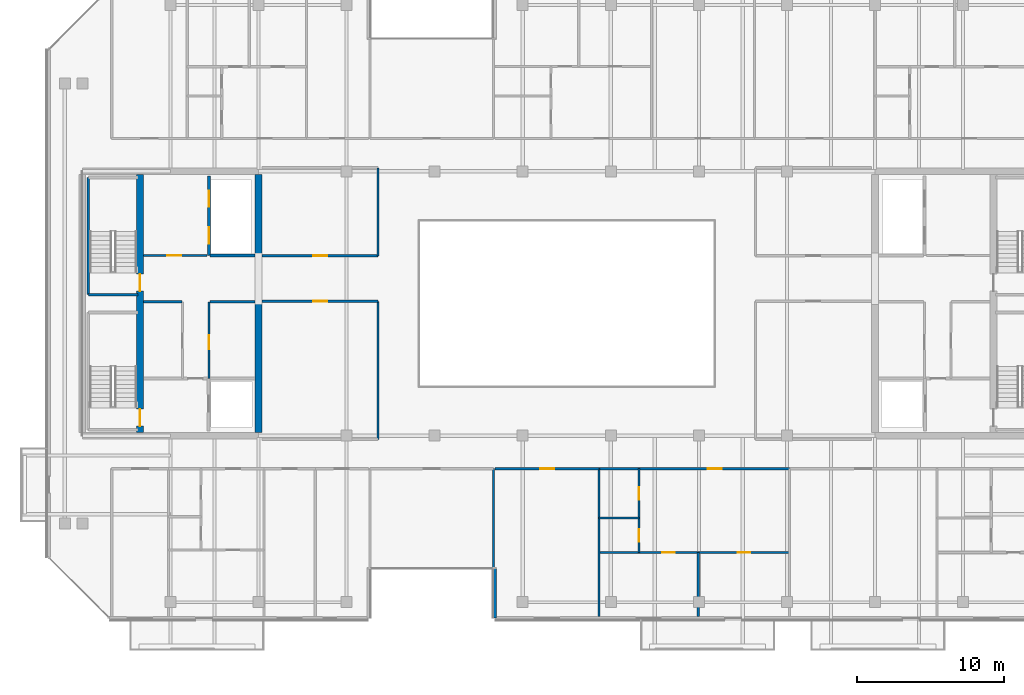
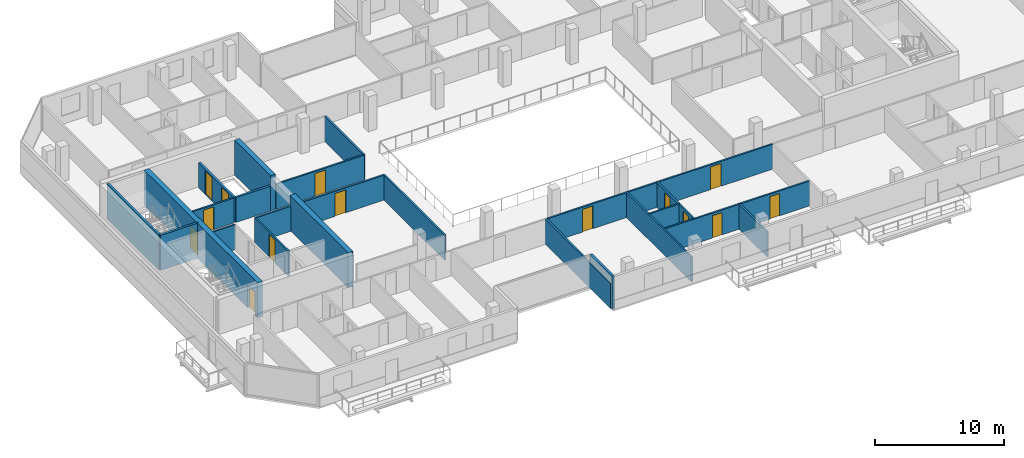
# One storey, part 19 of 28: 24 walls, 14 doors, 14 openings.
"""IFC4 building model written with IfcOpenShell, lengths in metres."""

from ifc_helpers import new_model, si_unit, direction, frame, frame_2d, origin, place, context, subcontext, project, spatial, rectangle, extrude, material, layer, layer_set, type_object, element, fill, save


model = new_model("IFC4")

# Units and contexts
model_context = context("Model", 3, precision=1e-05, world=origin(), true_north=direction((0.0, 1.0)))
body_context = subcontext(model_context, "Body", "Model", "MODEL_VIEW")
ifc_project = project(units=[si_unit("LENGTHUNIT", "METRE"), si_unit("AREAUNIT", "SQUARE_METRE"), si_unit("VOLUMEUNIT", "CUBIC_METRE"), si_unit("PLANEANGLEUNIT", "RADIAN"), si_unit("MASSUNIT", "GRAM", prefix="KILO")], contexts=[model_context])

# Site, building, storey
site_placement = place(None, origin())
site = spatial("IfcSite", under=ifc_project, at=site_placement, CompositionType="ELEMENT")
building_placement = place(site_placement, origin())
building = spatial("IfcBuilding", under=site, at=building_placement, Name="Tanjung Sevakor Pilgrim Tower", CompositionType="ELEMENT")
storey_placement = place(building_placement, frame((0.0, 0.0, 222.75)))
storey = spatial("IfcBuildingStorey", under=building, at=storey_placement, Name="L62", CompositionType="ELEMENT", Elevation=222.75)

# Walls
ifc_material_1 = material(Name="Concrete C60/75", Category="concrete")
ifc_layer_1 = layer(ifc_material_1, 0.449951171875)
ifc_layer_set_1 = layer_set([ifc_layer_1], Name="WALL-CW-450")
wall_type_1 = type_object("IfcWallType", Name="WALL-CW-450", PredefinedType="SHEAR", material=ifc_layer_set_1)
wall_1_placement = place(storey_placement, frame((36.0, 24.824951171875, 0.0), z_axis=(0.0, 0.0, 1.0), x_axis=(0.0, 1.0, 0.0)))
element("IfcWall", 1, at=wall_1_placement, inside=storey, type_object=wall_type_1, Name="L62 W Core Inner Shear Wall South", PredefinedType="SHEAR", context=body_context, shape_type="SweptSolid", body=[
    extrude(rectangle(XDim=8.97509765625, YDim=0.449951171875, at=frame_2d((4.487548828125, 0.0))), origin(), (0.0, 0.0, 1.0), 3.300048828125),
])
wall_2_placement = place(storey_placement, frame((36.0, 36.800048828125, 0.0), z_axis=(0.0, 0.0, 1.0), x_axis=(0.0, 1.0, 0.0)))
element("IfcWall", 2, at=wall_2_placement, inside=storey, type_object=wall_type_1, Name="L62 W Core Inner Shear Wall North", PredefinedType="SHEAR", context=body_context, shape_type="SweptSolid", body=[
    extrude(rectangle(XDim=5.574951171875, YDim=0.449951171875, at=frame_2d((2.78759765625, 0.0))), origin(), (0.0, 0.0, 1.0), 3.300048828125),
])

# Wall, openings, doors
wall_3_placement = place(storey_placement, frame((27.925048828125, 24.824951171875, 0.0), z_axis=(0.0, 0.0, 1.0), x_axis=(0.0, 1.0, 0.0)))
wall_3 = element("IfcWall", 3, at=wall_3_placement, inside=storey, type_object=wall_type_1, Name="L62 W Core Stair Spine Wall", PredefinedType="SHEAR", context=body_context, shape_type="SweptSolid", body=[
    extrude(rectangle(XDim=17.550048828125, YDim=0.449951171875, at=frame_2d((8.77490234375, 0.0))), origin(), (0.0, 0.0, 1.0), 3.300048828125),
])
opening_1_placement = place(wall_3_placement, frame((0.425048828125, 0.0, 0.0)))
opening_1 = element("IfcOpeningElement", 4, at=opening_1_placement, cuts=wall_3, Name="Opening ID-ST1", PredefinedType="OPENING", context=body_context, shape_type="SweptSolid", body=[
    extrude(rectangle(XDim=1.14990234375, YDim=2.14990234375, at=frame_2d((0.574951171875, 1.074951171875))), frame((0.0, 0.23486328125, 0.0), z_axis=(0.0, -1.0, 0.0), x_axis=(1.0, 0.0, 0.0)), (0.0, 0.0, 1.0), 0.469970703125),
])
opening_2_placement = place(wall_3_placement, frame((9.625, 0.0, 0.0)))
opening_2 = element("IfcOpeningElement", 5, at=opening_2_placement, cuts=wall_3, Name="Opening ID-ST1", PredefinedType="OPENING", context=body_context, shape_type="SweptSolid", body=[
    extrude(rectangle(XDim=1.14990234375, YDim=2.14990234375, at=frame_2d((0.574951171875, 1.074951171875))), frame((0.0, 0.23486328125, 0.0), z_axis=(0.0, -1.0, 0.0), x_axis=(1.0, 0.0, 0.0)), (0.0, 0.0, 1.0), 0.469970703125),
])
ifc_material_2 = material(Name="Fire-Rated Steel S355J2", Category="steel")
door_type_1 = type_object("IfcDoorType", Name="DT-FIRE-1150", OperationType="NOTDEFINED", PredefinedType="DOOR", material=ifc_material_2)
door_1_placement = place(opening_1_placement, origin())
door_1 = element("IfcDoor", 6, at=door_1_placement, inside=storey, type_object=door_type_1, Name="L62 TS-W1 Stair Fire Door", OperationType="SINGLE_SWING_RIGHT", OverallHeight=2.14990234375, OverallWidth=1.14990234375, PredefinedType="DOOR", context=body_context, shape_type="SweptSolid", body=[
    extrude(rectangle(XDim=1.14990234375, YDim=2.14990234375, at=frame_2d((0.574951171875, 1.074951171875))), frame((0.0, 0.02490234375, 0.0), z_axis=(0.0, -1.0, 0.0), x_axis=(1.0, 0.0, 0.0)), (0.0, 0.0, 1.0), 0.050048828125),
])
fill(opening_1, door_1)
door_2_placement = place(opening_2_placement, origin())
door_2 = element("IfcDoor", 7, at=door_2_placement, inside=storey, type_object=door_type_1, Name="L62 TS-W2 Stair Fire Door", OperationType="SINGLE_SWING_LEFT", OverallHeight=2.14990234375, OverallWidth=1.14990234375, PredefinedType="DOOR", context=body_context, shape_type="SweptSolid", body=[
    extrude(rectangle(XDim=1.14990234375, YDim=2.14990234375, at=frame_2d((0.574951171875, 1.074951171875))), frame((0.0, 0.02490234375, 0.0), z_axis=(0.0, -1.0, 0.0), x_axis=(1.0, 0.0, 0.0)), (0.0, 0.0, 1.0), 0.050048828125),
])
fill(opening_2, door_2)

# Walls
ifc_material_3 = material(Name="Concrete C40/50", Category="concrete")
ifc_layer_2 = layer(ifc_material_3, 0.14990234375)
ifc_layer_set_2 = layer_set([ifc_layer_2], Name="WT-COMP-150")
wall_type_2 = type_object("IfcWallType", Name="WT-COMP-150", PredefinedType="SOLIDWALL", material=ifc_layer_set_2)
wall_4_placement = place(storey_placement, frame((28.169921875, 33.719970703125, 0.0), z_axis=(0.0, 0.0, 1.0), x_axis=(1.0, 0.0, 0.0)))
element("IfcWall", 8, at=wall_4_placement, inside=storey, type_object=wall_type_2, Name="L62 Partition IW-L62-003", PredefinedType="SOLIDWALL", context=body_context, shape_type="SweptSolid", body=[
    extrude(rectangle(XDim=2.630126953125, YDim=0.14990234375, at=frame_2d((1.31494140625, 0.0))), origin(), (0.0, 0.0, 1.0), 2.35009765625),
])
wall_5_placement = place(storey_placement, frame((32.679931640625, 33.719970703125, 0.0), z_axis=(0.0, 0.0, 1.0), x_axis=(1.0, 0.0, 0.0)))
element("IfcWall", 9, at=wall_5_placement, inside=storey, type_object=wall_type_2, Name="L62 Partition IW-L62-005", PredefinedType="SOLIDWALL", context=body_context, shape_type="SweptSolid", body=[
    extrude(rectangle(XDim=3.074951171875, YDim=0.14990234375, at=frame_2d((1.53759765625, 0.0))), origin(), (0.0, 0.0, 1.0), 2.35009765625),
])

# Wall, opening, door
wall_6_placement = place(storey_placement, frame((32.6201171875, 28.5, 0.0), z_axis=(0.0, 0.0, 1.0), x_axis=(0.0, 1.0, 0.0)))
wall_6 = element("IfcWall", 10, at=wall_6_placement, inside=storey, type_object=wall_type_2, Name="L62 Partition IW-L62-006", PredefinedType="SOLIDWALL", context=body_context, shape_type="SweptSolid", body=[
    extrude(rectangle(XDim=5.219970703125, YDim=0.14990234375, at=frame_2d((2.60986328125, 0.0))), origin(), (0.0, 0.0, 1.0), 2.35009765625),
])
opening_3_placement = place(wall_6_placement, frame((2.0, 0.0, 0.0)))
opening_3 = element("IfcOpeningElement", 11, at=opening_3_placement, cuts=wall_6, Name="Opening ID-FD2", PredefinedType="OPENING", context=body_context, shape_type="SweptSolid", body=[
    extrude(rectangle(XDim=0.949951171875, YDim=2.14990234375, at=frame_2d((0.47509765625, 1.074951171875))), frame((0.0, 0.0849609375, 0.0), z_axis=(0.0, -1.0, 0.0), x_axis=(1.0, 0.0, 0.0)), (0.0, 0.0, 1.0), 0.169921875),
])
ifc_material_4 = material(Name="Fire-Rated Timber", Category="wood")
door_type_2 = type_object("IfcDoorType", Name="DT-FIRE-950", OperationType="NOTDEFINED", PredefinedType="DOOR", material=ifc_material_4)
door_3_placement = place(opening_3_placement, origin())
door_3 = element("IfcDoor", 12, at=door_3_placement, inside=storey, type_object=door_type_2, Name="L62 Accessible WC Door", OperationType="SINGLE_SWING_LEFT", OverallHeight=2.14990234375, OverallWidth=0.949951171875, PredefinedType="DOOR", context=body_context, shape_type="SweptSolid", body=[
    extrude(rectangle(XDim=0.949951171875, YDim=2.14990234375, at=frame_2d((0.47509765625, 1.074951171875))), frame((0.0, 0.02490234375, 0.0), z_axis=(0.0, -1.0, 0.0), x_axis=(1.0, 0.0, 0.0)), (0.0, 0.0, 1.0), 0.050048828125),
])
fill(opening_3, door_3)

wall_7_placement = place(storey_placement, frame((28.169921875, 36.8798828125, 0.0), z_axis=(0.0, 0.0, 1.0), x_axis=(1.0, 0.0, 0.0)))
wall_7 = element("IfcWall", 13, at=wall_7_placement, inside=storey, type_object=wall_type_2, Name="L62 Partition IW-L62-007", PredefinedType="SOLIDWALL", context=body_context, shape_type="SweptSolid", body=[
    extrude(rectangle(XDim=4.330078125, YDim=0.14990234375, at=frame_2d((2.1650390625, 0.0))), origin(), (0.0, 0.0, 1.0), 2.35009765625),
])
opening_4_placement = place(wall_7_placement, frame((1.60009765625, 0.0, 0.0)))
opening_4 = element("IfcOpeningElement", 14, at=opening_4_placement, cuts=wall_7, Name="Opening ID-FD2", PredefinedType="OPENING", context=body_context, shape_type="SweptSolid", body=[
    extrude(rectangle(XDim=0.949951171875, YDim=2.14990234375, at=frame_2d((0.47509765625, 1.074951171875))), frame((0.0, 0.0849609375, 0.0), z_axis=(0.0, -1.0, 0.0), x_axis=(1.0, 0.0, 0.0)), (0.0, 0.0, 1.0), 0.169921875),
])
door_4_placement = place(opening_4_placement, origin())
door_4 = element("IfcDoor", 15, at=door_4_placement, inside=storey, type_object=door_type_2, Name="L62 Core Prayer Room Door", OperationType="SINGLE_SWING_RIGHT", OverallHeight=2.14990234375, OverallWidth=0.949951171875, PredefinedType="DOOR", context=body_context, shape_type="SweptSolid", body=[
    extrude(rectangle(XDim=0.949951171875, YDim=2.14990234375, at=frame_2d((0.47509765625, 1.074951171875))), frame((0.0, 0.02490234375, 0.0), z_axis=(0.0, -1.0, 0.0), x_axis=(1.0, 0.0, 0.0)), (0.0, 0.0, 1.0), 0.050048828125),
])
fill(opening_4, door_4)

wall_8_placement = place(storey_placement, frame((36.2451171875, 33.75, 0.0), z_axis=(0.0, 0.0, 1.0), x_axis=(1.0, 0.0, 0.0)))
wall_8 = element("IfcWall", 16, at=wall_8_placement, inside=storey, type_object=wall_type_2, Name="L62 Partition IW-L62-020", PredefinedType="SOLIDWALL", context=body_context, shape_type="SweptSolid", body=[
    extrude(rectangle(XDim=7.90478515625, YDim=0.14990234375, at=frame_2d((3.952392578125, 0.0))), origin(), (0.0, 0.0, 1.0), 2.35009765625),
])
opening_5_placement = place(wall_8_placement, frame((3.4775390625, 0.0, 0.0)))
opening_5 = element("IfcOpeningElement", 17, at=opening_5_placement, cuts=wall_8, Name="Opening ID-RM1", PredefinedType="OPENING", context=body_context, shape_type="SweptSolid", body=[
    extrude(rectangle(XDim=0.949951171875, YDim=2.14990234375, at=frame_2d((0.47509765625, 1.074951171875))), frame((0.0, 0.0849609375, 0.0), z_axis=(0.0, -1.0, 0.0), x_axis=(1.0, 0.0, 0.0)), (0.0, 0.0, 1.0), 0.169921875),
])
ifc_material_5 = material(Name="Hardwood Timber", Category="wood")
door_type_3 = type_object("IfcDoorType", Name="DT-INT-950", OperationType="NOTDEFINED", PredefinedType="DOOR", material=ifc_material_5)
door_5_placement = place(opening_5_placement, origin())
door_5 = element("IfcDoor", 18, at=door_5_placement, inside=storey, type_object=door_type_3, Name="L62 West Inboard South Door", OperationType="SINGLE_SWING_RIGHT", OverallHeight=2.14990234375, OverallWidth=0.949951171875, PredefinedType="DOOR", context=body_context, shape_type="SweptSolid", body=[
    extrude(rectangle(XDim=0.949951171875, YDim=2.14990234375, at=frame_2d((0.47509765625, 1.074951171875))), frame((0.0, 0.02490234375, 0.0), z_axis=(0.0, -1.0, 0.0), x_axis=(1.0, 0.0, 0.0)), (0.0, 0.0, 1.0), 0.050048828125),
])
fill(opening_5, door_5)

# Wall
wall_9_placement = place(storey_placement, frame((44.14990234375, 24.35009765625, 0.0), z_axis=(0.0, 0.0, 1.0), x_axis=(0.0, 1.0, 0.0)))
element("IfcWall", 19, at=wall_9_placement, inside=storey, type_object=wall_type_2, Name="L62 Partition IW-L62-021", PredefinedType="SOLIDWALL", context=body_context, shape_type="SweptSolid", body=[
    extrude(rectangle(XDim=9.39990234375, YDim=0.14990234375, at=frame_2d((4.699951171875, 0.0))), origin(), (0.0, 0.0, 1.0), 2.35009765625),
])

# Wall, opening, door
wall_10_placement = place(storey_placement, frame((36.2451171875, 36.85009765625, 0.0), z_axis=(0.0, 0.0, 1.0), x_axis=(1.0, 0.0, 0.0)))
wall_10 = element("IfcWall", 20, at=wall_10_placement, inside=storey, type_object=wall_type_2, Name="L62 Partition IW-L62-022", PredefinedType="SOLIDWALL", context=body_context, shape_type="SweptSolid", body=[
    extrude(rectangle(XDim=7.90478515625, YDim=0.14990234375, at=frame_2d((3.952392578125, 0.0))), origin(), (0.0, 0.0, 1.0), 2.35009765625),
])
opening_6_placement = place(wall_10_placement, frame((3.4775390625, 0.0, 0.0)))
opening_6 = element("IfcOpeningElement", 21, at=opening_6_placement, cuts=wall_10, Name="Opening ID-RM1", PredefinedType="OPENING", context=body_context, shape_type="SweptSolid", body=[
    extrude(rectangle(XDim=0.949951171875, YDim=2.14990234375, at=frame_2d((0.47509765625, 1.074951171875))), frame((0.0, 0.0849609375, 0.0), z_axis=(0.0, -1.0, 0.0), x_axis=(1.0, 0.0, 0.0)), (0.0, 0.0, 1.0), 0.169921875),
])
door_6_placement = place(opening_6_placement, origin())
door_6 = element("IfcDoor", 22, at=door_6_placement, inside=storey, type_object=door_type_3, Name="L62 West Inboard North Door", OperationType="SINGLE_SWING_LEFT", OverallHeight=2.14990234375, OverallWidth=0.949951171875, PredefinedType="DOOR", context=body_context, shape_type="SweptSolid", body=[
    extrude(rectangle(XDim=0.949951171875, YDim=2.14990234375, at=frame_2d((0.47509765625, 1.074951171875))), frame((0.0, 0.02490234375, 0.0), z_axis=(0.0, -1.0, 0.0), x_axis=(1.0, 0.0, 0.0)), (0.0, 0.0, 1.0), 0.050048828125),
])
fill(opening_6, door_6)

# Walls
wall_11_placement = place(storey_placement, frame((44.14990234375, 36.85009765625, 0.0), z_axis=(0.0, 0.0, 1.0), x_axis=(0.0, 1.0, 0.0)))
element("IfcWall", 23, at=wall_11_placement, inside=storey, type_object=wall_type_2, Name="L62 Partition IW-L62-024", PredefinedType="SOLIDWALL", context=body_context, shape_type="SweptSolid", body=[
    extrude(rectangle(XDim=6.0, YDim=0.14990234375, at=frame_2d((3.0, 0.0))), origin(), (0.0, 0.0, 1.0), 2.35009765625),
])
for number, where, z_axis, x_axis, name in (
    (24, (52.0, 12.27001953125, 0.0), (0.0, 0.0, 1.0), (0.0, 1.0, 0.0), "L62 Partition IW-L62-033"),
    (25, (59.20166015625, 12.27001953125, 0.0), (0.0, 0.0, 1.0), (0.0, 1.0, 0.0), "L62 Partition IW-L62-049"),
):
    element("IfcWall", number, at=place(storey_placement, frame(where, z_axis=z_axis, x_axis=x_axis)), inside=storey, type_object=wall_type_2, Name=name, PredefinedType="SOLIDWALL", context=body_context, shape_type="SweptSolid", body=[
        extrude(rectangle(XDim=10.080078125, YDim=0.14990234375, at=frame_2d((5.0400390625, 0.0))), origin(), (0.0, 0.0, 1.0), 2.35009765625),
    ])

# Wall, opening, door
wall_12_placement = place(storey_placement, frame((52.1201171875, 22.35009765625, 0.0), z_axis=(0.0, 0.0, 1.0), x_axis=(1.0, 0.0, 0.0)))
wall_12 = element("IfcWall", 26, at=wall_12_placement, inside=storey, type_object=wall_type_2, Name="L62 Partition IW-L62-050", PredefinedType="SOLIDWALL", context=body_context, shape_type="SweptSolid", body=[
    extrude(rectangle(XDim=7.08154296875, YDim=0.14990234375, at=frame_2d((3.540771484375, 0.0))), origin(), (0.0, 0.0, 1.0), 2.35009765625),
])
opening_7_placement = place(wall_12_placement, frame((3.06591796875, 0.0, 0.0)))
opening_7 = element("IfcOpeningElement", 27, at=opening_7_placement, cuts=wall_12, Name="Opening ID-FD2", PredefinedType="OPENING", context=body_context, shape_type="SweptSolid", body=[
    extrude(rectangle(XDim=0.949951171875, YDim=2.14990234375, at=frame_2d((0.47509765625, 1.074951171875))), frame((0.0, 0.0849609375, 0.0), z_axis=(0.0, -1.0, 0.0), x_axis=(1.0, 0.0, 0.0)), (0.0, 0.0, 1.0), 0.169921875),
])
door_7_placement = place(opening_7_placement, origin())
door_7 = element("IfcDoor", 28, at=door_7_placement, inside=storey, type_object=door_type_2, Name="Housekeeping Pantry Door", OperationType="SINGLE_SWING_LEFT", OverallHeight=2.14990234375, OverallWidth=0.949951171875, PredefinedType="DOOR", context=body_context, shape_type="SweptSolid", body=[
    extrude(rectangle(XDim=0.949951171875, YDim=2.14990234375, at=frame_2d((0.47509765625, 1.074951171875))), frame((0.0, 0.02490234375, 0.0), z_axis=(0.0, -1.0, 0.0), x_axis=(1.0, 0.0, 0.0)), (0.0, 0.0, 1.0), 0.050048828125),
])
fill(opening_7, door_7)

wall_13_placement = place(storey_placement, frame((59.20166015625, 22.35009765625, 0.0), z_axis=(0.0, 0.0, 1.0), x_axis=(1.0, 0.0, 0.0)))
wall_13 = element("IfcWall", 29, at=wall_13_placement, inside=storey, type_object=wall_type_2, Name="L62 Partition IW-L62-056", PredefinedType="SOLIDWALL", context=body_context, shape_type="SweptSolid", body=[
    extrude(rectangle(XDim=12.98291015625, YDim=0.14990234375, at=frame_2d((6.491455078125, 0.0))), origin(), (0.0, 0.0, 1.0), 2.35009765625),
])
opening_8_placement = place(wall_13_placement, frame((7.415771484375, 0.0, 0.0)))
opening_8 = element("IfcOpeningElement", 30, at=opening_8_placement, cuts=wall_13, Name="Opening ID-FD2", PredefinedType="OPENING", context=body_context, shape_type="SweptSolid", body=[
    extrude(rectangle(XDim=0.949951171875, YDim=2.14990234375, at=frame_2d((0.47509765625, 1.074951171875))), frame((0.0, 0.0849609375, 0.0), z_axis=(0.0, -1.0, 0.0), x_axis=(1.0, 0.0, 0.0)), (0.0, 0.0, 1.0), 0.169921875),
])
door_8_placement = place(opening_8_placement, origin())
door_8 = element("IfcDoor", 31, at=door_8_placement, inside=storey, type_object=door_type_2, Name="Suite Entrance", OperationType="SINGLE_SWING_RIGHT", OverallHeight=2.14990234375, OverallWidth=0.949951171875, PredefinedType="DOOR", context=body_context, shape_type="SweptSolid", body=[
    extrude(rectangle(XDim=0.949951171875, YDim=2.14990234375, at=frame_2d((0.47509765625, 1.074951171875))), frame((0.0, 0.02490234375, 0.0), z_axis=(0.0, -1.0, 0.0), x_axis=(1.0, 0.0, 0.0)), (0.0, 0.0, 1.0), 0.050048828125),
])
fill(opening_8, door_8)

# Walls
ifc_material_6 = material(Name="Precast concrete C45/55", Category="concrete")
ifc_layer_3 = layer(ifc_material_6, 0.219970703125)
ifc_layer_set_3 = layer_set([ifc_layer_3], Name="WT-EW-STN4")
wall_type_3 = type_object("IfcWallType", Name="WT-EW-STN4", PredefinedType="SOLIDWALL", material=ifc_layer_set_3)
wall_14_placement = place(storey_placement, frame((52.110107421875, 15.56005859375, 0.0), z_axis=(0.0, 0.0, 1.0), x_axis=(0.0, -1.0, 0.0)))
element("IfcWall", 32, at=wall_14_placement, inside=storey, type_object=wall_type_3, Name="L62 MAIN Exterior Wall 4", PredefinedType="SOLIDWALL", context=body_context, shape_type="SweptSolid", body=[
    extrude(rectangle(XDim=3.400146484375, YDim=0.219970703125, at=frame_2d((1.7001953125, 0.0))), origin(), (0.0, 0.0, 1.0), 3.080078125),
])
ifc_material_7 = material(Name="Concrete C40/50", Category="concrete")
ifc_layer_4 = layer(ifc_material_7, 0.199951171875)
ifc_layer_set_4 = layer_set([ifc_layer_4], Name="WT-FIRE-200")
wall_type_4 = type_object("IfcWallType", Name="WT-FIRE-200", PredefinedType="SOLIDWALL", material=ifc_layer_set_4)
wall_15_placement = place(storey_placement, frame((24.39990234375, 34.199951171875, 0.0), z_axis=(0.0, 0.0, 1.0), x_axis=(1.0, 0.0, 0.0)))
element("IfcWall", 33, at=wall_15_placement, inside=storey, type_object=wall_type_4, Name="L62 TS-W2 Shaft Wall 1", PredefinedType="SOLIDWALL", context=body_context, shape_type="SweptSolid", body=[
    extrude(rectangle(XDim=3.400146484375, YDim=0.199951171875, at=frame_2d((1.7001953125, 0.0))), origin(), (0.0, 0.0, 1.0), 3.300048828125),
])
wall_16_placement = place(storey_placement, frame((24.39990234375, 42.199951171875, 0.0), z_axis=(0.0, 0.0, 1.0), x_axis=(0.0, -1.0, 0.0)))
element("IfcWall", 34, at=wall_16_placement, inside=storey, type_object=wall_type_4, Name="L62 TS-W2 Shaft Wall 3", PredefinedType="SOLIDWALL", context=body_context, shape_type="SweptSolid", body=[
    extrude(rectangle(XDim=8.0, YDim=0.199951171875, at=frame_2d((4.0, 0.0))), origin(), (0.0, 0.0, 1.0), 3.300048828125),
])
ifc_material_8 = material(Name="Concrete C40/50", Category="concrete")
ifc_layer_5 = layer(ifc_material_8, 0.199951171875)
ifc_layer_set_5 = layer_set([ifc_layer_5], Name="WT-FPRT-200")
wall_type_5 = type_object("IfcWallType", Name="WT-FPRT-200", PredefinedType="SOLIDWALL", material=ifc_layer_set_5)
wall_17_placement = place(storey_placement, frame((32.679931640625, 36.8798828125, 0.0), z_axis=(0.0, 0.0, 1.0), x_axis=(1.0, 0.0, 0.0)))
element("IfcWall", 35, at=wall_17_placement, inside=storey, type_object=wall_type_5, Name="L62 Partition IW-L62-008", PredefinedType="SOLIDWALL", context=body_context, shape_type="SweptSolid", body=[
    extrude(rectangle(XDim=3.074951171875, YDim=0.199951171875, at=frame_2d((1.53759765625, 0.0))), origin(), (0.0, 0.0, 1.0), 2.35009765625),
])

# Wall, openings, doors
wall_18_placement = place(storey_placement, frame((32.6201171875, 36.8798828125, 0.0), z_axis=(0.0, 0.0, 1.0), x_axis=(0.0, 1.0, 0.0)))
wall_18 = element("IfcWall", 36, at=wall_18_placement, inside=storey, type_object=wall_type_5, Name="L62 Partition IW-L62-009", PredefinedType="SOLIDWALL", context=body_context, shape_type="SweptSolid", body=[
    extrude(rectangle(XDim=5.420166015625, YDim=0.199951171875, at=frame_2d((2.7099609375, 0.0))), origin(), (0.0, 0.0, 1.0), 2.35009765625),
])
opening_9_placement = place(wall_18_placement, frame((0.800048828125, 0.0, 0.0)))
opening_9 = element("IfcOpeningElement", 37, at=opening_9_placement, cuts=wall_18, Name="Opening LD-1100", PredefinedType="OPENING", context=body_context, shape_type="SweptSolid", body=[
    extrude(rectangle(XDim=1.10009765625, YDim=2.199951171875, at=frame_2d((0.550048828125, 1.10009765625))), frame((0.0, 0.10986328125, 0.0), z_axis=(0.0, -1.0, 0.0), x_axis=(1.0, 0.0, 0.0)), (0.0, 0.0, 1.0), 0.219970703125),
])
opening_10_placement = place(wall_18_placement, frame((3.300048828125, 0.0, 0.0)))
opening_10 = element("IfcOpeningElement", 38, at=opening_10_placement, cuts=wall_18, Name="Opening LD-1100", PredefinedType="OPENING", context=body_context, shape_type="SweptSolid", body=[
    extrude(rectangle(XDim=1.10009765625, YDim=2.199951171875, at=frame_2d((0.550048828125, 1.10009765625))), frame((0.0, 0.10986328125, 0.0), z_axis=(0.0, -1.0, 0.0), x_axis=(1.0, 0.0, 0.0)), (0.0, 0.0, 1.0), 0.219970703125),
])
ifc_material_9 = material(Name="Brushed Stainless Steel S355J2", Category="steel")
door_type_4 = type_object("IfcDoorType", Name="DT-LIFT-1100", OperationType="SLIDING_TO_LEFT", PredefinedType="DOOR", material=ifc_material_9)
door_9_placement = place(opening_9_placement, origin())
door_9 = element("IfcDoor", 39, at=door_9_placement, inside=storey, type_object=door_type_4, Name="LD-PLH1-W", OperationType="SLIDING_TO_LEFT", OverallHeight=2.199951171875, OverallWidth=1.10009765625, PredefinedType="DOOR", context=body_context, shape_type="SweptSolid", body=[
    extrude(rectangle(XDim=1.10009765625, YDim=2.199951171875, at=frame_2d((0.550048828125, 1.10009765625))), frame((0.0, 0.02490234375, 0.0), z_axis=(0.0, -1.0, 0.0), x_axis=(1.0, 0.0, 0.0)), (0.0, 0.0, 1.0), 0.050048828125),
])
fill(opening_9, door_9)
door_10_placement = place(opening_10_placement, origin())
door_10 = element("IfcDoor", 40, at=door_10_placement, inside=storey, type_object=door_type_4, Name="LD-PLH2-W", OperationType="SLIDING_TO_RIGHT", OverallHeight=2.199951171875, OverallWidth=1.10009765625, PredefinedType="DOOR", context=body_context, shape_type="SweptSolid", body=[
    extrude(rectangle(XDim=1.10009765625, YDim=2.199951171875, at=frame_2d((0.550048828125, 1.10009765625))), frame((0.0, 0.02490234375, 0.0), z_axis=(0.0, -1.0, 0.0), x_axis=(1.0, 0.0, 0.0)), (0.0, 0.0, 1.0), 0.050048828125),
])
fill(opening_10, door_10)

# Wall
ifc_material_10 = material(Name="Gypsum Board Partition", Category="gypsum board")
ifc_layer_6 = layer(ifc_material_10, 0.14990234375)
ifc_layer_set_6 = layer_set([ifc_layer_6], Name="WT-PART-150")
wall_type_6 = type_object("IfcWallType", Name="WT-PART-150", PredefinedType="PARTITIONING", material=ifc_layer_set_6)
wall_19_placement = place(storey_placement, frame((59.20166015625, 18.98095703125, 0.0), z_axis=(0.0, 0.0, 1.0), x_axis=(1.0, 0.0, 0.0)))
element("IfcWall", 41, at=wall_19_placement, inside=storey, type_object=wall_type_6, Name="L62 Partition IW-L62-052", PredefinedType="PARTITIONING", context=body_context, shape_type="SweptSolid", body=[
    extrude(rectangle(XDim=2.71826171875, YDim=0.14990234375, at=frame_2d((1.359130859375, 0.0))), origin(), (0.0, 0.0, 1.0), 2.35009765625),
])

# Wall, openings, doors
wall_20_placement = place(storey_placement, frame((61.919921875, 16.6396484375, 0.0), z_axis=(0.0, 0.0, 1.0), x_axis=(0.0, 1.0, 0.0)))
wall_20 = element("IfcWall", 42, at=wall_20_placement, inside=storey, type_object=wall_type_6, Name="L62 Partition IW-L62-053", PredefinedType="PARTITIONING", context=body_context, shape_type="SweptSolid", body=[
    extrude(rectangle(XDim=5.71044921875, YDim=0.14990234375, at=frame_2d((2.855224609375, 0.0))), origin(), (0.0, 0.0, 1.0), 2.35009765625),
])
opening_11_placement = place(wall_20_placement, frame((0.74560546875, 0.0, 0.0)))
opening_11 = element("IfcOpeningElement", 43, at=opening_11_placement, cuts=wall_20, Name="Opening ID-WC1", PredefinedType="OPENING", context=body_context, shape_type="SweptSolid", body=[
    extrude(rectangle(XDim=0.85009765625, YDim=2.10009765625, at=frame_2d((0.425048828125, 1.050048828125))), frame((0.0, 0.0849609375, 0.0), z_axis=(0.0, -1.0, 0.0), x_axis=(1.0, 0.0, 0.0)), (0.0, 0.0, 1.0), 0.169921875),
])
opening_12_placement = place(wall_20_placement, frame((3.600830078125, 0.0, 0.0)))
opening_12 = element("IfcOpeningElement", 44, at=opening_12_placement, cuts=wall_20, Name="Opening ID-WC1", PredefinedType="OPENING", context=body_context, shape_type="SweptSolid", body=[
    extrude(rectangle(XDim=0.85009765625, YDim=2.10009765625, at=frame_2d((0.425048828125, 1.050048828125))), frame((0.0, 0.0849609375, 0.0), z_axis=(0.0, -1.0, 0.0), x_axis=(1.0, 0.0, 0.0)), (0.0, 0.0, 1.0), 0.169921875),
])
ifc_material_11 = material(Name="Moisture-Resistant Timber", Category="wood")
door_type_5 = type_object("IfcDoorType", Name="DT-INT-850", OperationType="NOTDEFINED", PredefinedType="DOOR", material=ifc_material_11)
door_11_placement = place(opening_11_placement, origin())
door_11 = element("IfcDoor", 45, at=door_11_placement, inside=storey, type_object=door_type_5, Name="Suite Bathroom Door", OperationType="SINGLE_SWING_RIGHT", OverallHeight=2.10009765625, OverallWidth=0.85009765625, PredefinedType="DOOR", context=body_context, shape_type="SweptSolid", body=[
    extrude(rectangle(XDim=0.85009765625, YDim=2.10009765625, at=frame_2d((0.425048828125, 1.050048828125))), frame((0.0, 0.02490234375, 0.0), z_axis=(0.0, -1.0, 0.0), x_axis=(1.0, 0.0, 0.0)), (0.0, 0.0, 1.0), 0.050048828125),
])
fill(opening_11, door_11)
door_12_placement = place(opening_12_placement, origin())
door_12 = element("IfcDoor", 46, at=door_12_placement, inside=storey, type_object=door_type_5, Name="Suite Kitchenette Door", OperationType="SINGLE_SWING_LEFT", OverallHeight=2.10009765625, OverallWidth=0.85009765625, PredefinedType="DOOR", context=body_context, shape_type="SweptSolid", body=[
    extrude(rectangle(XDim=0.85009765625, YDim=2.10009765625, at=frame_2d((0.425048828125, 1.050048828125))), frame((0.0, 0.02490234375, 0.0), z_axis=(0.0, -1.0, 0.0), x_axis=(1.0, 0.0, 0.0)), (0.0, 0.0, 1.0), 0.050048828125),
])
fill(opening_12, door_12)

# Wall
wall_21_placement = place(storey_placement, frame((65.952880859375, 12.27001953125, 0.0), z_axis=(0.0, 0.0, 1.0), x_axis=(0.0, 1.0, 0.0)))
element("IfcWall", 47, at=wall_21_placement, inside=storey, type_object=wall_type_6, Name="L62 Partition IW-L62-054", PredefinedType="PARTITIONING", context=body_context, shape_type="SweptSolid", body=[
    extrude(rectangle(XDim=4.36962890625, YDim=0.14990234375, at=frame_2d((2.184814453125, 0.0))), origin(), (0.0, 0.0, 1.0), 2.35009765625),
])

# Wall, openings, doors
wall_22_placement = place(storey_placement, frame((59.20166015625, 16.6396484375, 0.0), z_axis=(0.0, 0.0, 1.0), x_axis=(1.0, 0.0, 0.0)))
wall_22 = element("IfcWall", 48, at=wall_22_placement, inside=storey, type_object=wall_type_6, Name="L62 Partition IW-L62-055", PredefinedType="PARTITIONING", context=body_context, shape_type="SweptSolid", body=[
    extrude(rectangle(XDim=12.98291015625, YDim=0.14990234375, at=frame_2d((6.491455078125, 0.0))), origin(), (0.0, 0.0, 1.0), 2.35009765625),
])
opening_13_placement = place(wall_22_placement, frame((4.309814453125, 0.0, 0.0)))
opening_13 = element("IfcOpeningElement", 49, at=opening_13_placement, cuts=wall_22, Name="Opening ID-WC1", PredefinedType="OPENING", context=body_context, shape_type="SweptSolid", body=[
    extrude(rectangle(XDim=0.85009765625, YDim=2.10009765625, at=frame_2d((0.425048828125, 1.050048828125))), frame((0.0, 0.0849609375, 0.0), z_axis=(0.0, -1.0, 0.0), x_axis=(1.0, 0.0, 0.0)), (0.0, 0.0, 1.0), 0.169921875),
])
opening_14_placement = place(wall_22_placement, frame((9.442138671875, 0.0, 0.0)))
opening_14 = element("IfcOpeningElement", 50, at=opening_14_placement, cuts=wall_22, Name="Opening ID-WC1", PredefinedType="OPENING", context=body_context, shape_type="SweptSolid", body=[
    extrude(rectangle(XDim=0.85009765625, YDim=2.10009765625, at=frame_2d((0.425048828125, 1.050048828125))), frame((0.0, 0.0849609375, 0.0), z_axis=(0.0, -1.0, 0.0), x_axis=(1.0, 0.0, 0.0)), (0.0, 0.0, 1.0), 0.169921875),
])
door_13_placement = place(opening_13_placement, origin())
door_13 = element("IfcDoor", 51, at=door_13_placement, inside=storey, type_object=door_type_5, Name="Suite Bedroom 1 Door", OperationType="SINGLE_SWING_RIGHT", OverallHeight=2.10009765625, OverallWidth=0.85009765625, PredefinedType="DOOR", context=body_context, shape_type="SweptSolid", body=[
    extrude(rectangle(XDim=0.85009765625, YDim=2.10009765625, at=frame_2d((0.425048828125, 1.050048828125))), frame((0.0, 0.02490234375, 0.0), z_axis=(0.0, -1.0, 0.0), x_axis=(1.0, 0.0, 0.0)), (0.0, 0.0, 1.0), 0.050048828125),
])
fill(opening_13, door_13)
door_14_placement = place(opening_14_placement, origin())
door_14 = element("IfcDoor", 52, at=door_14_placement, inside=storey, type_object=door_type_5, Name="Suite Bedroom 2 Door", OperationType="SINGLE_SWING_LEFT", OverallHeight=2.10009765625, OverallWidth=0.85009765625, PredefinedType="DOOR", context=body_context, shape_type="SweptSolid", body=[
    extrude(rectangle(XDim=0.85009765625, YDim=2.10009765625, at=frame_2d((0.425048828125, 1.050048828125))), frame((0.0, 0.02490234375, 0.0), z_axis=(0.0, -1.0, 0.0), x_axis=(1.0, 0.0, 0.0)), (0.0, 0.0, 1.0), 0.050048828125),
])
fill(opening_14, door_14)

save(model, "model.ifc")
